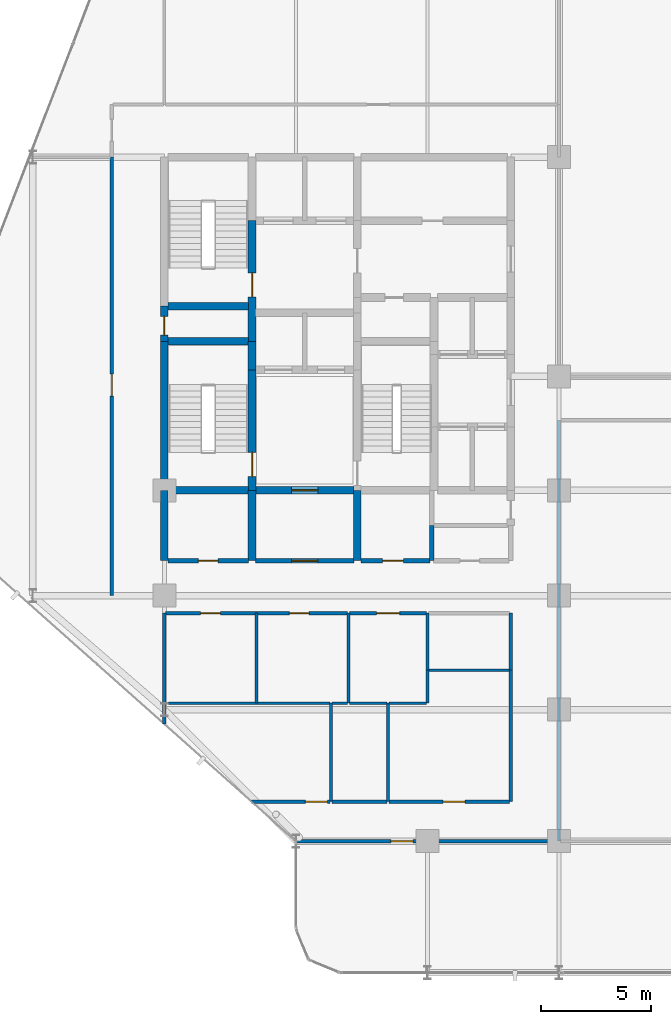
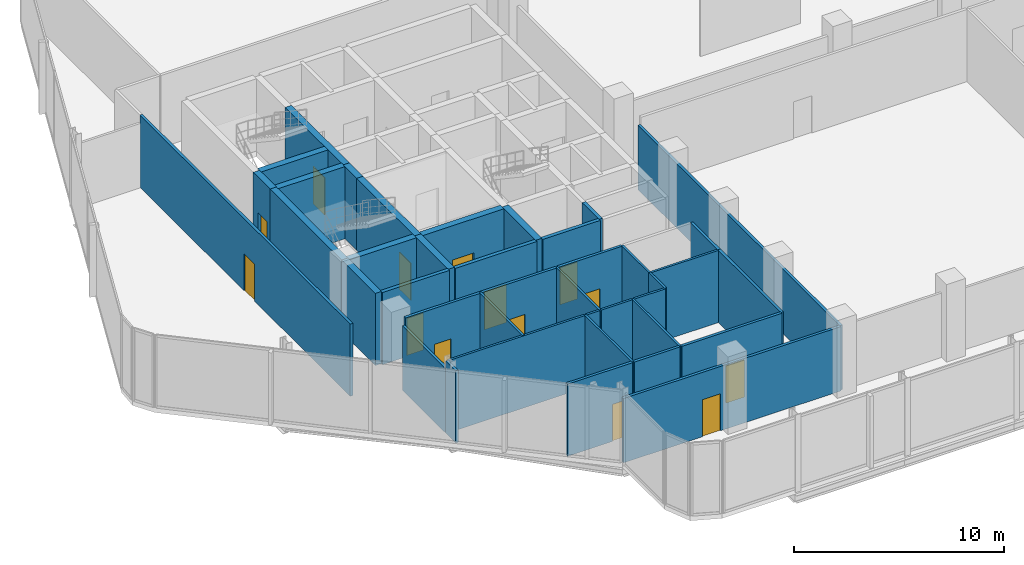
# One storey, part 27 of 31: 39 walls, 14 doors, 14 openings.
"""IFC4 building model written with IfcOpenShell, lengths in metres."""

from ifc_helpers import new_model, si_unit, direction, frame, frame_2d, origin, place, context, subcontext, project, spatial, rectangle, extrude, material, layer, layer_set, type_object, element, fill, save


model = new_model("IFC4")

# Units and contexts
model_context = context("Model", 3, precision=1e-05, world=origin(), true_north=direction((0.0, 1.0)))
body_context = subcontext(model_context, "Body", "Model", "MODEL_VIEW")
ifc_project = project(units=[si_unit("LENGTHUNIT", "METRE"), si_unit("AREAUNIT", "SQUARE_METRE"), si_unit("VOLUMEUNIT", "CUBIC_METRE"), si_unit("PLANEANGLEUNIT", "RADIAN"), si_unit("MASSUNIT", "GRAM", prefix="KILO")], contexts=[model_context])

# Site, building, storey
site_placement = place(None, origin())
site = spatial("IfcSite", under=ifc_project, at=site_placement, CompositionType="ELEMENT")
building_placement = place(site_placement, origin())
building = spatial("IfcBuilding", under=site, at=building_placement, Name="Keshet Zoharim Tower", CompositionType="ELEMENT")
storey_placement = place(building_placement, frame((0.0, 0.0, 125.300048828125)))
storey = spatial("IfcBuildingStorey", under=building, at=storey_placement, Name="L30", CompositionType="ELEMENT", Elevation=125.300048828125)

# Wall, opening, door
ifc_material_1 = material(Name="Gypsum Plasterboard", Category="gypsum")
ifc_layer_1 = layer(ifc_material_1, 0.14990234375)
ifc_layer_set_1 = layer_set([ifc_layer_1], Name="Gypsum Plasterboard")
wall_type_1 = type_object("IfcWallType", Name="WL-CLIN-150", PredefinedType="STANDARD", material=ifc_layer_set_1)
wall_1_placement = place(storey_placement, frame((12.60009765625, 17.89990234375, 0.0), z_axis=(0.0, 0.0, 1.0), x_axis=(0.0, 1.0, 0.0)))
wall_1 = element("IfcWall", 1, at=wall_1_placement, inside=storey, type_object=wall_type_1, Name="L30 Interior Wall 001", PredefinedType="STANDARD", context=body_context, shape_type="SweptSolid", body=[
    extrude(rectangle(XDim=20.0, YDim=0.14990234375, at=frame_2d((10.0, 0.0))), origin(), (0.0, 0.0, 1.0), 4.18505859375),
])
opening_1_placement = place(wall_1_placement, frame((9.10009765625, 0.0, 0.0)))
opening_1 = element("IfcOpeningElement", 2, at=opening_1_placement, cuts=wall_1, Name="Opening D-F310", PredefinedType="OPENING", context=body_context, shape_type="SweptSolid", body=[
    extrude(rectangle(XDim=1.0, YDim=2.14990234375, at=frame_2d((0.5, 1.074951171875))), frame((0.0, 0.0849609375, 0.0), z_axis=(0.0, -1.0, 0.0), x_axis=(1.0, 0.0, 0.0)), (0.0, 0.0, 1.0), 0.169921875),
])
ifc_material_2 = material(Name="Hardwood Timber", Category="wood")
door_type_1 = type_object("IfcDoorType", Name="DR-FD30-100", OperationType="NOTDEFINED", PredefinedType="DOOR", material=ifc_material_2)
door_1_placement = place(opening_1_placement, origin())
door_1 = element("IfcDoor", 3, at=door_1_placement, inside=storey, type_object=door_type_1, Name="L30 Children Playroom Door", OperationType="SINGLE_SWING_RIGHT", OverallHeight=2.14990234375, OverallWidth=1.0, PredefinedType="DOOR", context=body_context, shape_type="SweptSolid", body=[
    extrude(rectangle(XDim=1.0, YDim=2.14990234375, at=frame_2d((0.5, 1.074951171875))), frame((0.0, 0.02490234375, 0.0), z_axis=(0.0, -1.0, 0.0), x_axis=(1.0, 0.0, 0.0)), (0.0, 0.0, 1.0), 0.050048828125),
])
fill(opening_1, door_1)

# Walls
wall_2_placement = place(storey_placement, frame((15.0, 12.04296875, 0.0), z_axis=(0.0, 0.0, 1.0), x_axis=(0.0, 1.0, 0.0)))
element("IfcWall", 4, at=wall_2_placement, inside=storey, type_object=wall_type_1, Name="L30 Interior Wall 003", PredefinedType="STANDARD", context=body_context, shape_type="SweptSolid", body=[
    extrude(rectangle(XDim=0.95703125, YDim=0.14990234375, at=frame_2d((0.478515625, 0.0))), origin(), (0.0, 0.0, 1.0), 4.18505859375),
])
wall_3_placement = place(storey_placement, frame((15.0, 13.0, 0.0), z_axis=(0.0, 0.0, 1.0), x_axis=(0.0, 1.0, 0.0)))
element("IfcWall", 5, at=wall_3_placement, inside=storey, type_object=wall_type_1, Name="L30 Interior Wall 004", PredefinedType="STANDARD", context=body_context, shape_type="SweptSolid", body=[
    extrude(rectangle(XDim=4.10009765625, YDim=0.14990234375, at=frame_2d((2.050048828125, 0.0))), origin(), (0.0, 0.0, 1.0), 3.73486328125),
])
wall_4_placement = place(storey_placement, frame((30.800048828125, 8.5, 0.0), z_axis=(0.0, 0.0, 1.0), x_axis=(0.0, 1.0, 0.0)))
element("IfcWall", 6, at=wall_4_placement, inside=storey, type_object=wall_type_1, Name="L30 Interior Wall 038", PredefinedType="STANDARD", context=body_context, shape_type="SweptSolid", body=[
    extrude(rectangle(XDim=6.0, YDim=0.14990234375, at=frame_2d((3.0, 0.0))), origin(), (0.0, 0.0, 1.0), 4.18505859375),
])
wall_5_placement = place(storey_placement, frame((30.800048828125, 14.5, 0.0), z_axis=(0.0, 0.0, 1.0), x_axis=(0.0, 1.0, 0.0)))
element("IfcWall", 7, at=wall_5_placement, inside=storey, type_object=wall_type_1, Name="L30 Interior Wall 039", PredefinedType="STANDARD", context=body_context, shape_type="SweptSolid", body=[
    extrude(rectangle(XDim=2.60009765625, YDim=0.14990234375, at=frame_2d((1.300048828125, 0.0))), origin(), (0.0, 0.0, 1.0), 4.18505859375),
])
wall_6_placement = place(storey_placement, frame((33.0, 6.699951171875, 0.0), z_axis=(0.0, 0.0, 1.0), x_axis=(0.0, 1.0, 0.0)))
element("IfcWall", 8, at=wall_6_placement, inside=storey, type_object=wall_type_1, Name="L30 Interior Wall 047", PredefinedType="STANDARD", context=body_context, shape_type="SweptSolid", body=[
    extrude(rectangle(XDim=19.199951171875, YDim=0.14990234375, at=frame_2d((9.60009765625, 0.0))), origin(), (0.0, 0.0, 1.0), 3.73486328125),
])

# Wall, opening, door
wall_7_placement = place(storey_placement, frame((21.010009765625, 6.699951171875, 0.0), z_axis=(0.0, 0.0, 1.0), x_axis=(1.0, 0.0, 0.0)))
wall_7 = element("IfcWall", 9, at=wall_7_placement, inside=storey, type_object=wall_type_1, Name="L30 Interior Wall 051", PredefinedType="STANDARD", context=body_context, shape_type="SweptSolid", body=[
    extrude(rectangle(XDim=11.929931640625, YDim=0.14990234375, at=frame_2d((5.96484375, 0.0))), origin(), (0.0, 0.0, 1.0), 3.73486328125),
])
opening_2_placement = place(wall_7_placement, frame((4.324951171875, 0.0, 0.0)))
opening_2 = element("IfcOpeningElement", 10, at=opening_2_placement, cuts=wall_7, Name="Opening D-F310", PredefinedType="OPENING", context=body_context, shape_type="SweptSolid", body=[
    extrude(rectangle(XDim=1.0, YDim=2.14990234375, at=frame_2d((0.5, 1.074951171875))), frame((0.0, 0.0849609375, 0.0), z_axis=(0.0, -1.0, 0.0), x_axis=(1.0, 0.0, 0.0)), (0.0, 0.0, 1.0), 0.169921875),
])
door_2_placement = place(opening_2_placement, origin())
door_2 = element("IfcDoor", 11, at=door_2_placement, inside=storey, type_object=door_type_1, Name="L30 South Sun Conservatory Door", OperationType="SINGLE_SWING_RIGHT", OverallHeight=2.14990234375, OverallWidth=1.0, PredefinedType="DOOR", context=body_context, shape_type="SweptSolid", body=[
    extrude(rectangle(XDim=1.0, YDim=2.14990234375, at=frame_2d((0.5, 1.074951171875))), frame((0.0, 0.02490234375, 0.0), z_axis=(0.0, -1.0, 0.0), x_axis=(1.0, 0.0, 0.0)), (0.0, 0.0, 1.0), 0.050048828125),
])
fill(opening_2, door_2)

wall_8_placement = place(storey_placement, frame((18.985107421875, 8.5, 0.0), z_axis=(0.0, 0.0, 1.0), x_axis=(1.0, 0.0, 0.0)))
wall_8 = element("IfcWall", 12, at=wall_8_placement, inside=storey, type_object=wall_type_1, Name="L30 Interior Wall 054", PredefinedType="STANDARD", context=body_context, shape_type="SweptSolid", body=[
    extrude(rectangle(XDim=3.56982421875, YDim=0.14990234375, at=frame_2d((1.784912109375, 0.0))), origin(), (0.0, 0.0, 1.0), 4.18505859375),
])
opening_3_placement = place(wall_8_placement, frame((2.449951171875, 0.0, 0.0)))
opening_3 = element("IfcOpeningElement", 13, at=opening_3_placement, cuts=wall_8, Name="Opening D-F310", PredefinedType="OPENING", context=body_context, shape_type="SweptSolid", body=[
    extrude(rectangle(XDim=1.0, YDim=2.14990234375, at=frame_2d((0.5, 1.074951171875))), frame((0.0, 0.0849609375, 0.0), z_axis=(0.0, -1.0, 0.0), x_axis=(1.0, 0.0, 0.0)), (0.0, 0.0, 1.0), 0.169921875),
])
door_3_placement = place(opening_3_placement, origin())
door_3 = element("IfcDoor", 14, at=door_3_placement, inside=storey, type_object=door_type_1, Name="L30 Residents Laundry Room Door", OperationType="SINGLE_SWING_LEFT", OverallHeight=2.14990234375, OverallWidth=1.0, PredefinedType="DOOR", context=body_context, shape_type="SweptSolid", body=[
    extrude(rectangle(XDim=1.0, YDim=2.14990234375, at=frame_2d((0.5, 1.074951171875))), frame((0.0, 0.02490234375, 0.0), z_axis=(0.0, -1.0, 0.0), x_axis=(1.0, 0.0, 0.0)), (0.0, 0.0, 1.0), 0.050048828125),
])
fill(opening_3, door_3)

# Wall
wall_9_placement = place(storey_placement, frame((22.64501953125, 8.5, 0.0), z_axis=(0.0, 0.0, 1.0), x_axis=(1.0, 0.0, 0.0)))
element("IfcWall", 15, at=wall_9_placement, inside=storey, type_object=wall_type_1, Name="L30 Interior Wall 055", PredefinedType="STANDARD", context=body_context, shape_type="SweptSolid", body=[
    extrude(rectangle(XDim=2.510009765625, YDim=0.14990234375, at=frame_2d((1.2548828125, 0.0))), origin(), (0.0, 0.0, 1.0), 4.18505859375),
])

# Wall, opening, door
wall_10_placement = place(storey_placement, frame((25.2451171875, 8.5, 0.0), z_axis=(0.0, 0.0, 1.0), x_axis=(1.0, 0.0, 0.0)))
wall_10 = element("IfcWall", 16, at=wall_10_placement, inside=storey, type_object=wall_type_1, Name="L30 Interior Wall 056", PredefinedType="STANDARD", context=body_context, shape_type="SweptSolid", body=[
    extrude(rectangle(XDim=5.494873046875, YDim=0.14990234375, at=frame_2d((2.74755859375, 0.0))), origin(), (0.0, 0.0, 1.0), 4.18505859375),
])
opening_4_placement = place(wall_10_placement, frame((2.468994140625, 0.0, 0.0)))
opening_4 = element("IfcOpeningElement", 17, at=opening_4_placement, cuts=wall_10, Name="Opening D-F310", PredefinedType="OPENING", context=body_context, shape_type="SweptSolid", body=[
    extrude(rectangle(XDim=1.0, YDim=2.14990234375, at=frame_2d((0.5, 1.074951171875))), frame((0.0, 0.0849609375, 0.0), z_axis=(0.0, -1.0, 0.0), x_axis=(1.0, 0.0, 0.0)), (0.0, 0.0, 1.0), 0.169921875),
])
door_4_placement = place(opening_4_placement, origin())
door_4 = element("IfcDoor", 18, at=door_4_placement, inside=storey, type_object=door_type_1, Name="L30 Shared Residents Kitchen Door", OperationType="SINGLE_SWING_RIGHT", OverallHeight=2.14990234375, OverallWidth=1.0, PredefinedType="DOOR", context=body_context, shape_type="SweptSolid", body=[
    extrude(rectangle(XDim=1.0, YDim=2.14990234375, at=frame_2d((0.5, 1.074951171875))), frame((0.0, 0.02490234375, 0.0), z_axis=(0.0, -1.0, 0.0), x_axis=(1.0, 0.0, 0.0)), (0.0, 0.0, 1.0), 0.050048828125),
])
fill(opening_4, door_4)

# Wall, openings, doors
wall_11_placement = place(storey_placement, frame((15.06005859375, 17.10009765625, 0.0), z_axis=(0.0, 0.0, 1.0), x_axis=(1.0, 0.0, 0.0)))
wall_11 = element("IfcWall", 19, at=wall_11_placement, inside=storey, type_object=wall_type_1, Name="L30 Interior Wall 062", PredefinedType="STANDARD", context=body_context, shape_type="SweptSolid", body=[
    extrude(rectangle(XDim=8.294921875, YDim=0.14990234375, at=frame_2d((4.1474609375, 0.0))), origin(), (0.0, 0.0, 1.0), 4.18505859375),
])
opening_5_placement = place(wall_11_placement, frame((1.594970703125, 0.0, 0.0)))
opening_5 = element("IfcOpeningElement", 20, at=opening_5_placement, cuts=wall_11, Name="Opening D-WT90", PredefinedType="OPENING", context=body_context, shape_type="SweptSolid", body=[
    extrude(rectangle(XDim=0.89990234375, YDim=2.10009765625, at=frame_2d((0.449951171875, 1.050048828125))), frame((0.0, 0.0849609375, 0.0), z_axis=(0.0, -1.0, 0.0), x_axis=(1.0, 0.0, 0.0)), (0.0, 0.0, 1.0), 0.169921875),
])
opening_6_placement = place(wall_11_placement, frame((5.64501953125, 0.0, 0.0)))
opening_6 = element("IfcOpeningElement", 21, at=opening_6_placement, cuts=wall_11, Name="Opening D-WT90", PredefinedType="OPENING", context=body_context, shape_type="SweptSolid", body=[
    extrude(rectangle(XDim=0.89990234375, YDim=2.10009765625, at=frame_2d((0.449951171875, 1.050048828125))), frame((0.0, 0.0849609375, 0.0), z_axis=(0.0, -1.0, 0.0), x_axis=(1.0, 0.0, 0.0)), (0.0, 0.0, 1.0), 0.169921875),
])
door_type_2 = type_object("IfcDoorType", Name="DR-WET-090", OperationType="NOTDEFINED", PredefinedType="DOOR", material=ifc_material_2)
door_5_placement = place(opening_5_placement, origin())
door_5 = element("IfcDoor", 22, at=door_5_placement, inside=storey, type_object=door_type_2, Name="L30 Public WCM Door", OperationType="SINGLE_SWING_LEFT", OverallHeight=2.10009765625, OverallWidth=0.89990234375, PredefinedType="DOOR", context=body_context, shape_type="SweptSolid", body=[
    extrude(rectangle(XDim=0.89990234375, YDim=2.10009765625, at=frame_2d((0.449951171875, 1.050048828125))), frame((0.0, 0.02490234375, 0.0), z_axis=(0.0, -1.0, 0.0), x_axis=(1.0, 0.0, 0.0)), (0.0, 0.0, 1.0), 0.050048828125),
])
fill(opening_5, door_5)
door_6_placement = place(opening_6_placement, origin())
door_6 = element("IfcDoor", 23, at=door_6_placement, inside=storey, type_object=door_type_2, Name="L30 Public WCF Door", OperationType="SINGLE_SWING_RIGHT", OverallHeight=2.10009765625, OverallWidth=0.89990234375, PredefinedType="DOOR", context=body_context, shape_type="SweptSolid", body=[
    extrude(rectangle(XDim=0.89990234375, YDim=2.10009765625, at=frame_2d((0.449951171875, 1.050048828125))), frame((0.0, 0.02490234375, 0.0), z_axis=(0.0, -1.0, 0.0), x_axis=(1.0, 0.0, 0.0)), (0.0, 0.0, 1.0), 0.050048828125),
])
fill(opening_6, door_6)

# Wall, opening, door
wall_12_placement = place(storey_placement, frame((23.445068359375, 17.10009765625, 0.0), z_axis=(0.0, 0.0, 1.0), x_axis=(1.0, 0.0, 0.0)))
wall_12 = element("IfcWall", 24, at=wall_12_placement, inside=storey, type_object=wall_type_1, Name="L30 Interior Wall 063", PredefinedType="STANDARD", context=body_context, shape_type="SweptSolid", body=[
    extrude(rectangle(XDim=3.510009765625, YDim=0.14990234375, at=frame_2d((1.7548828125, 0.0))), origin(), (0.0, 0.0, 1.0), 4.18505859375),
])
opening_7_placement = place(wall_12_placement, frame((1.22998046875, 0.0, 0.0)))
opening_7 = element("IfcOpeningElement", 25, at=opening_7_placement, cuts=wall_12, Name="Opening D-AC10", PredefinedType="OPENING", context=body_context, shape_type="SweptSolid", body=[
    extrude(rectangle(XDim=1.050048828125, YDim=2.14990234375, at=frame_2d((0.52490234375, 1.074951171875))), frame((0.0, 0.0849609375, 0.0), z_axis=(0.0, -1.0, 0.0), x_axis=(1.0, 0.0, 0.0)), (0.0, 0.0, 1.0), 0.169921875),
])
door_type_3 = type_object("IfcDoorType", Name="DR-ACC-105", OperationType="NOTDEFINED", PredefinedType="DOOR", material=ifc_material_2)
door_7_placement = place(opening_7_placement, origin())
door_7 = element("IfcDoor", 26, at=door_7_placement, inside=storey, type_object=door_type_3, Name="L30 Public WCA Door", OperationType="SINGLE_SWING_LEFT", OverallHeight=2.14990234375, OverallWidth=1.050048828125, PredefinedType="DOOR", context=body_context, shape_type="SweptSolid", body=[
    extrude(rectangle(XDim=1.050048828125, YDim=2.14990234375, at=frame_2d((0.52490234375, 1.074951171875))), frame((0.0, 0.02490234375, 0.0), z_axis=(0.0, -1.0, 0.0), x_axis=(1.0, 0.0, 0.0)), (0.0, 0.0, 1.0), 0.050048828125),
])
fill(opening_7, door_7)

# Walls
ifc_material_3 = material(Name="Concrete C60/75", Category="concrete")
ifc_layer_2 = layer(ifc_material_3, 0.35009765625)
ifc_layer_set_2 = layer_set([ifc_layer_2], Name="Concrete C60/75")
wall_type_2 = type_object("IfcWallType", Name="WL-CORE-350", PredefinedType="SHEAR", material=ifc_layer_set_2)
wall_13_placement = place(storey_placement, frame((15.0, 19.5, 0.0), z_axis=(0.0, 0.0, 1.0), x_axis=(0.0, 1.0, 0.0)))
element("IfcWall", 27, at=wall_13_placement, inside=storey, type_object=wall_type_2, Name="L30 Core Shear Wall 005", PredefinedType="SHEAR", context=body_context, shape_type="SweptSolid", body=[
    extrude(rectangle(XDim=3.199951171875, YDim=0.35009765625, at=frame_2d((1.60009765625, 0.0))), origin(), (0.0, 0.0, 1.0), 4.18505859375),
])
wall_14_placement = place(storey_placement, frame((15.0, 22.699951171875, 0.0), z_axis=(0.0, 0.0, 1.0), x_axis=(0.0, 1.0, 0.0)))
element("IfcWall", 28, at=wall_14_placement, inside=storey, type_object=wall_type_2, Name="L30 Core Shear Wall 006", PredefinedType="SHEAR", context=body_context, shape_type="SweptSolid", body=[
    extrude(rectangle(XDim=6.800048828125, YDim=0.35009765625, at=frame_2d((3.39990234375, 0.0))), origin(), (0.0, 0.0, 1.0), 4.18505859375),
])

# Wall, opening, door
wall_15_placement = place(storey_placement, frame((15.0, 29.5, 0.0), z_axis=(0.0, 0.0, 1.0), x_axis=(0.0, 1.0, 0.0)))
wall_15 = element("IfcWall", 29, at=wall_15_placement, inside=storey, type_object=wall_type_2, Name="L30 Core Shear Wall 007", PredefinedType="SHEAR", context=body_context, shape_type="SweptSolid", body=[
    extrude(rectangle(XDim=1.60009765625, YDim=0.35009765625, at=frame_2d((0.800048828125, 0.0))), origin(), (0.0, 0.0, 1.0), 4.18505859375),
])
opening_8_placement = place(wall_15_placement, frame((0.287109375, 0.0, 0.0)))
opening_8 = element("IfcOpeningElement", 30, at=opening_8_placement, cuts=wall_15, Name="Opening D-RS85", PredefinedType="OPENING", context=body_context, shape_type="SweptSolid", body=[
    extrude(rectangle(XDim=0.85009765625, YDim=2.10009765625, at=frame_2d((0.425048828125, 1.050048828125))), frame((0.0, 0.18505859375, 0.0), z_axis=(0.0, -1.0, 0.0), x_axis=(1.0, 0.0, 0.0)), (0.0, 0.0, 1.0), 0.3701171875),
])
door_type_4 = type_object("IfcDoorType", Name="DR-RIS-085", OperationType="NOTDEFINED", PredefinedType="DOOR", material=ifc_material_2)
door_8_placement = place(opening_8_placement, origin())
door_8 = element("IfcDoor", 31, at=door_8_placement, inside=storey, type_object=door_type_4, Name="L30 Electrical Riser Access Cupboard Door", OperationType="SINGLE_SWING_RIGHT", OverallHeight=2.10009765625, OverallWidth=0.85009765625, PredefinedType="DOOR", context=body_context, shape_type="SweptSolid", body=[
    extrude(rectangle(XDim=0.85009765625, YDim=2.10009765625, at=frame_2d((0.425048828125, 1.050048828125))), frame((0.0, 0.02490234375, 0.0), z_axis=(0.0, -1.0, 0.0), x_axis=(1.0, 0.0, 0.0)), (0.0, 0.0, 1.0), 0.050048828125),
])
fill(opening_8, door_8)

# Wall
wall_16_placement = place(storey_placement, frame((19.0, 19.5, 0.0), z_axis=(0.0, 0.0, 1.0), x_axis=(0.0, 1.0, 0.0)))
element("IfcWall", 32, at=wall_16_placement, inside=storey, type_object=wall_type_2, Name="L30 Core Shear Wall 010", PredefinedType="SHEAR", context=body_context, shape_type="SweptSolid", body=[
    extrude(rectangle(XDim=3.199951171875, YDim=0.35009765625, at=frame_2d((1.60009765625, 0.0))), origin(), (0.0, 0.0, 1.0), 4.18505859375),
])

# Wall, opening, door
wall_17_placement = place(storey_placement, frame((19.0, 22.699951171875, 0.0), z_axis=(0.0, 0.0, 1.0), x_axis=(0.0, 1.0, 0.0)))
wall_17 = element("IfcWall", 33, at=wall_17_placement, inside=storey, type_object=wall_type_2, Name="L30 Core Shear Wall 011", PredefinedType="SHEAR", context=body_context, shape_type="SweptSolid", body=[
    extrude(rectangle(XDim=5.5, YDim=0.35009765625, at=frame_2d((2.75, 0.0))), origin(), (0.0, 0.0, 1.0), 4.18505859375),
])
opening_9_placement = place(wall_17_placement, frame((0.631103515625, 0.0, 0.0)))
opening_9 = element("IfcOpeningElement", 34, at=opening_9_placement, cuts=wall_17, Name="Opening D-F611", PredefinedType="OPENING", context=body_context, shape_type="SweptSolid", body=[
    extrude(rectangle(XDim=1.10009765625, YDim=2.14990234375, at=frame_2d((0.550048828125, 1.074951171875))), frame((0.0, 0.18505859375, 0.0), z_axis=(0.0, -1.0, 0.0), x_axis=(1.0, 0.0, 0.0)), (0.0, 0.0, 1.0), 0.3701171875),
])
door_type_5 = type_object("IfcDoorType", Name="DR-FD60-110", OperationType="NOTDEFINED", PredefinedType="DOOR", material=ifc_material_2)
door_9_placement = place(opening_9_placement, origin())
door_9 = element("IfcDoor", 35, at=door_9_placement, inside=storey, type_object=door_type_5, Name="L30 Exit Stair ST-01 Fire Door", OperationType="SINGLE_SWING_LEFT", OverallHeight=2.14990234375, OverallWidth=1.10009765625, PredefinedType="DOOR", context=body_context, shape_type="SweptSolid", body=[
    extrude(rectangle(XDim=1.10009765625, YDim=2.14990234375, at=frame_2d((0.550048828125, 1.074951171875))), frame((0.0, 0.02490234375, 0.0), z_axis=(0.0, -1.0, 0.0), x_axis=(1.0, 0.0, 0.0)), (0.0, 0.0, 1.0), 0.050048828125),
])
fill(opening_9, door_9)

# Wall
wall_18_placement = place(storey_placement, frame((19.0, 28.199951171875, 0.0), z_axis=(0.0, 0.0, 1.0), x_axis=(0.0, 1.0, 0.0)))
element("IfcWall", 36, at=wall_18_placement, inside=storey, type_object=wall_type_2, Name="L30 Core Shear Wall 012", PredefinedType="SHEAR", context=body_context, shape_type="SweptSolid", body=[
    extrude(rectangle(XDim=1.300048828125, YDim=0.35009765625, at=frame_2d((0.64990234375, 0.0))), origin(), (0.0, 0.0, 1.0), 4.18505859375),
])

# Wall, opening, door
wall_19_placement = place(storey_placement, frame((19.0, 29.5, 0.0), z_axis=(0.0, 0.0, 1.0), x_axis=(0.0, 1.0, 0.0)))
wall_19 = element("IfcWall", 37, at=wall_19_placement, inside=storey, type_object=wall_type_2, Name="L30 Core Shear Wall 013", PredefinedType="SHEAR", context=body_context, shape_type="SweptSolid", body=[
    extrude(rectangle(XDim=5.5, YDim=0.35009765625, at=frame_2d((2.75, 0.0))), origin(), (0.0, 0.0, 1.0), 4.18505859375),
])
opening_10_placement = place(wall_19_placement, frame((2.02490234375, 0.0, 0.0)))
opening_10 = element("IfcOpeningElement", 38, at=opening_10_placement, cuts=wall_19, Name="Opening D-F611", PredefinedType="OPENING", context=body_context, shape_type="SweptSolid", body=[
    extrude(rectangle(XDim=1.10009765625, YDim=2.14990234375, at=frame_2d((0.550048828125, 1.074951171875))), frame((0.0, 0.18505859375, 0.0), z_axis=(0.0, -1.0, 0.0), x_axis=(1.0, 0.0, 0.0)), (0.0, 0.0, 1.0), 0.3701171875),
])
door_10_placement = place(opening_10_placement, origin())
door_10 = element("IfcDoor", 39, at=door_10_placement, inside=storey, type_object=door_type_5, Name="L30 Exit Stair ST-02 Fire Door", OperationType="SINGLE_SWING_RIGHT", OverallHeight=2.14990234375, OverallWidth=1.10009765625, PredefinedType="DOOR", context=body_context, shape_type="SweptSolid", body=[
    extrude(rectangle(XDim=1.10009765625, YDim=2.14990234375, at=frame_2d((0.550048828125, 1.074951171875))), frame((0.0, 0.02490234375, 0.0), z_axis=(0.0, -1.0, 0.0), x_axis=(1.0, 0.0, 0.0)), (0.0, 0.0, 1.0), 0.050048828125),
])
fill(opening_10, door_10)

# Walls
wall_20_placement = place(storey_placement, frame((23.800048828125, 19.5, 0.0), z_axis=(0.0, 0.0, 1.0), x_axis=(0.0, 1.0, 0.0)))
element("IfcWall", 40, at=wall_20_placement, inside=storey, type_object=wall_type_2, Name="L30 Core Shear Wall 020", PredefinedType="SHEAR", context=body_context, shape_type="SweptSolid", body=[
    extrude(rectangle(XDim=3.199951171875, YDim=0.35009765625, at=frame_2d((1.60009765625, 0.0))), origin(), (0.0, 0.0, 1.0), 4.18505859375),
])
wall_21_placement = place(storey_placement, frame((15.159912109375, 22.699951171875, 0.0), z_axis=(0.0, 0.0, 1.0), x_axis=(1.0, 0.0, 0.0)))
element("IfcWall", 41, at=wall_21_placement, inside=storey, type_object=wall_type_2, Name="L30 Core Shear Wall 070", PredefinedType="SHEAR", context=body_context, shape_type="SweptSolid", body=[
    extrude(rectangle(XDim=3.68017578125, YDim=0.35009765625, at=frame_2d((1.840087890625, 0.0))), origin(), (0.0, 0.0, 1.0), 4.18505859375),
])

# Wall, opening, door
wall_22_placement = place(storey_placement, frame((19.159912109375, 22.699951171875, 0.0), z_axis=(0.0, 0.0, 1.0), x_axis=(1.0, 0.0, 0.0)))
wall_22 = element("IfcWall", 42, at=wall_22_placement, inside=storey, type_object=wall_type_2, Name="L30 Core Shear Wall 071", PredefinedType="SHEAR", context=body_context, shape_type="SweptSolid", body=[
    extrude(rectangle(XDim=4.47998046875, YDim=0.35009765625, at=frame_2d((2.239990234375, 0.0))), origin(), (0.0, 0.0, 1.0), 4.18505859375),
])
opening_11_placement = place(wall_22_placement, frame((1.639892578125, 0.0, 0.0)))
opening_11 = element("IfcOpeningElement", 43, at=opening_11_placement, cuts=wall_22, Name="Opening D-F612", PredefinedType="OPENING", context=body_context, shape_type="SweptSolid", body=[
    extrude(rectangle(XDim=1.199951171875, YDim=2.199951171875, at=frame_2d((0.60009765625, 1.10009765625))), frame((0.0, 0.18505859375, 0.0), z_axis=(0.0, -1.0, 0.0), x_axis=(1.0, 0.0, 0.0)), (0.0, 0.0, 1.0), 0.3701171875),
])
door_type_6 = type_object("IfcDoorType", Name="DR-FD60-120", OperationType="NOTDEFINED", PredefinedType="DOOR", material=ifc_material_2)
door_11_placement = place(opening_11_placement, origin())
door_11 = element("IfcDoor", 44, at=door_11_placement, inside=storey, type_object=door_type_6, Name="L30 South Core Lobby Fire Door", OperationType="SINGLE_SWING_RIGHT", OverallHeight=2.199951171875, OverallWidth=1.199951171875, PredefinedType="DOOR", context=body_context, shape_type="SweptSolid", body=[
    extrude(rectangle(XDim=1.199951171875, YDim=2.199951171875, at=frame_2d((0.60009765625, 1.10009765625))), frame((0.0, 0.02490234375, 0.0), z_axis=(0.0, -1.0, 0.0), x_axis=(1.0, 0.0, 0.0)), (0.0, 0.0, 1.0), 0.050048828125),
])
fill(opening_11, door_11)

# Walls
for number, where, z_axis, x_axis, name in (
    (45, (15.159912109375, 29.5, 0.0), (0.0, 0.0, 1.0), (1.0, 0.0, 0.0), "L30 Core Shear Wall 080"),
    (46, (15.159912109375, 31.10009765625, 0.0), (0.0, 0.0, 1.0), (1.0, 0.0, 0.0), "L30 Core Shear Wall 083"),
):
    element("IfcWall", number, at=place(storey_placement, frame(where, z_axis=z_axis, x_axis=x_axis)), inside=storey, type_object=wall_type_2, Name=name, PredefinedType="SHEAR", context=body_context, shape_type="SweptSolid", body=[
        extrude(rectangle(XDim=3.68017578125, YDim=0.35009765625, at=frame_2d((1.840087890625, 0.0))), origin(), (0.0, 0.0, 1.0), 4.18505859375),
    ])
ifc_material_4 = material(Name="Concrete C50/60", Category="concrete")
ifc_layer_3 = layer(ifc_material_4, 0.199951171875)
ifc_layer_set_3 = layer_set([ifc_layer_3], Name="Concrete C50/60")
wall_type_3 = type_object("IfcWallType", Name="WL-FIRE-200", PredefinedType="STANDARD", material=ifc_layer_set_3)
wall_23_placement = place(storey_placement, frame((27.199951171875, 19.5, 0.0), z_axis=(0.0, 0.0, 1.0), x_axis=(0.0, 1.0, 0.0)))
element("IfcWall", 47, at=wall_23_placement, inside=storey, type_object=wall_type_3, Name="L30 Interior Wall 030", PredefinedType="STANDARD", context=body_context, shape_type="SweptSolid", body=[
    extrude(rectangle(XDim=1.60009765625, YDim=0.199951171875, at=frame_2d((0.800048828125, 0.0))), origin(), (0.0, 0.0, 1.0), 4.18505859375),
])

# Wall, opening, door
wall_24_placement = place(storey_placement, frame((15.159912109375, 19.5, 0.0), z_axis=(0.0, 0.0, 1.0), x_axis=(1.0, 0.0, 0.0)))
wall_24 = element("IfcWall", 48, at=wall_24_placement, inside=storey, type_object=wall_type_3, Name="L30 Interior Wall 065", PredefinedType="STANDARD", context=body_context, shape_type="SweptSolid", body=[
    extrude(rectangle(XDim=3.68017578125, YDim=0.199951171875, at=frame_2d((1.840087890625, 0.0))), origin(), (0.0, 0.0, 1.0), 4.18505859375),
])
opening_12_placement = place(wall_24_placement, frame((1.389892578125, 0.0, 0.0)))
opening_12 = element("IfcOpeningElement", 49, at=opening_12_placement, cuts=wall_24, Name="Opening D-F690", PredefinedType="OPENING", context=body_context, shape_type="SweptSolid", body=[
    extrude(rectangle(XDim=0.89990234375, YDim=2.14990234375, at=frame_2d((0.449951171875, 1.074951171875))), frame((0.0, 0.10986328125, 0.0), z_axis=(0.0, -1.0, 0.0), x_axis=(1.0, 0.0, 0.0)), (0.0, 0.0, 1.0), 0.219970703125),
])
door_type_7 = type_object("IfcDoorType", Name="DR-FD60-090", OperationType="NOTDEFINED", PredefinedType="DOOR", material=ifc_material_2)
door_12_placement = place(opening_12_placement, origin())
door_12 = element("IfcDoor", 50, at=door_12_placement, inside=storey, type_object=door_type_7, Name="L30 Refuse Store Door", OperationType="SINGLE_SWING_RIGHT", OverallHeight=2.14990234375, OverallWidth=0.89990234375, PredefinedType="DOOR", context=body_context, shape_type="SweptSolid", body=[
    extrude(rectangle(XDim=0.89990234375, YDim=2.14990234375, at=frame_2d((0.449951171875, 1.074951171875))), frame((0.0, 0.02490234375, 0.0), z_axis=(0.0, -1.0, 0.0), x_axis=(1.0, 0.0, 0.0)), (0.0, 0.0, 1.0), 0.050048828125),
])
fill(opening_12, door_12)

wall_25_placement = place(storey_placement, frame((19.159912109375, 19.5, 0.0), z_axis=(0.0, 0.0, 1.0), x_axis=(1.0, 0.0, 0.0)))
wall_25 = element("IfcWall", 51, at=wall_25_placement, inside=storey, type_object=wall_type_3, Name="L30 Interior Wall 066", PredefinedType="STANDARD", context=body_context, shape_type="SweptSolid", body=[
    extrude(rectangle(XDim=4.47998046875, YDim=0.199951171875, at=frame_2d((2.239990234375, 0.0))), origin(), (0.0, 0.0, 1.0), 4.18505859375),
])
opening_13_placement = place(wall_25_placement, frame((1.639892578125, 0.0, 0.0)))
opening_13 = element("IfcOpeningElement", 52, at=opening_13_placement, cuts=wall_25, Name="Opening D-F612", PredefinedType="OPENING", context=body_context, shape_type="SweptSolid", body=[
    extrude(rectangle(XDim=1.199951171875, YDim=2.199951171875, at=frame_2d((0.60009765625, 1.10009765625))), frame((0.0, 0.10986328125, 0.0), z_axis=(0.0, -1.0, 0.0), x_axis=(1.0, 0.0, 0.0)), (0.0, 0.0, 1.0), 0.219970703125),
])
door_13_placement = place(opening_13_placement, origin())
door_13 = element("IfcDoor", 53, at=door_13_placement, inside=storey, type_object=door_type_6, Name="L30 South Vestibule Corridor Door", OperationType="SINGLE_SWING_LEFT", OverallHeight=2.199951171875, OverallWidth=1.199951171875, PredefinedType="DOOR", context=body_context, shape_type="SweptSolid", body=[
    extrude(rectangle(XDim=1.199951171875, YDim=2.199951171875, at=frame_2d((0.60009765625, 1.10009765625))), frame((0.0, 0.02490234375, 0.0), z_axis=(0.0, -1.0, 0.0), x_axis=(1.0, 0.0, 0.0)), (0.0, 0.0, 1.0), 0.050048828125),
])
fill(opening_13, door_13)

wall_26_placement = place(storey_placement, frame((23.9599609375, 19.5, 0.0), z_axis=(0.0, 0.0, 1.0), x_axis=(1.0, 0.0, 0.0)))
wall_26 = element("IfcWall", 54, at=wall_26_placement, inside=storey, type_object=wall_type_3, Name="L30 Interior Wall 067", PredefinedType="STANDARD", context=body_context, shape_type="SweptSolid", body=[
    extrude(rectangle(XDim=3.155029296875, YDim=0.199951171875, at=frame_2d((1.57763671875, 0.0))), origin(), (0.0, 0.0, 1.0), 4.18505859375),
])
opening_14_placement = place(wall_26_placement, frame((0.990966796875, 0.0, 0.0)))
opening_14 = element("IfcOpeningElement", 55, at=opening_14_placement, cuts=wall_26, Name="Opening D-F695", PredefinedType="OPENING", context=body_context, shape_type="SweptSolid", body=[
    extrude(rectangle(XDim=0.949951171875, YDim=2.14990234375, at=frame_2d((0.47509765625, 1.074951171875))), frame((0.0, 0.10986328125, 0.0), z_axis=(0.0, -1.0, 0.0), x_axis=(1.0, 0.0, 0.0)), (0.0, 0.0, 1.0), 0.219970703125),
])
door_type_8 = type_object("IfcDoorType", Name="DR-FD60-095", OperationType="NOTDEFINED", PredefinedType="DOOR", material=ifc_material_2)
door_14_placement = place(opening_14_placement, origin())
door_14 = element("IfcDoor", 56, at=door_14_placement, inside=storey, type_object=door_type_8, Name="L30 Utility Room Door", OperationType="SINGLE_SWING_RIGHT", OverallHeight=2.14990234375, OverallWidth=0.949951171875, PredefinedType="DOOR", context=body_context, shape_type="SweptSolid", body=[
    extrude(rectangle(XDim=0.949951171875, YDim=2.14990234375, at=frame_2d((0.47509765625, 1.074951171875))), frame((0.0, 0.02490234375, 0.0), z_axis=(0.0, -1.0, 0.0), x_axis=(1.0, 0.0, 0.0)), (0.0, 0.0, 1.0), 0.050048828125),
])
fill(opening_14, door_14)

# Walls
ifc_layer_4 = layer(ifc_material_1, 0.1201171875)
ifc_layer_set_4 = layer_set([ifc_layer_4], Name="Gypsum Plasterboard")
wall_type_4 = type_object("IfcWallType", Name="WL-PART-120", PredefinedType="PARTITIONING", material=ifc_layer_set_4)
for number, where, z_axis, x_axis, name in (
    (57, (22.60009765625, 8.5, 0.0), (0.0, 0.0, 1.0), (0.0, 1.0, 0.0), "L30 Interior Wall 018"),
    (58, (25.199951171875, 8.5, 0.0), (0.0, 0.0, 1.0), (0.0, 1.0, 0.0), "L30 Interior Wall 027"),
):
    element("IfcWall", number, at=place(storey_placement, frame(where, z_axis=z_axis, x_axis=x_axis)), inside=storey, type_object=wall_type_4, Name=name, PredefinedType="PARTITIONING", context=body_context, shape_type="SweptSolid", body=[
        extrude(rectangle(XDim=4.5, YDim=0.1201171875, at=frame_2d((2.25, 0.0))), origin(), (0.0, 0.0, 1.0), 4.18505859375),
    ])
wall_27_placement = place(storey_placement, frame((27.044921875, 14.5, 0.0), z_axis=(0.0, 0.0, 1.0), x_axis=(1.0, 0.0, 0.0)))
element("IfcWall", 59, at=wall_27_placement, inside=storey, type_object=wall_type_4, Name="L30 Interior Wall 061", PredefinedType="PARTITIONING", context=body_context, shape_type="SweptSolid", body=[
    extrude(rectangle(XDim=3.695068359375, YDim=0.1201171875, at=frame_2d((1.84765625, 0.0))), origin(), (0.0, 0.0, 1.0), 4.18505859375),
])
ifc_layer_5 = layer(ifc_material_1, 0.1201171875)
ifc_layer_set_5 = layer_set([ifc_layer_5], Name="Gypsum Plasterboard")
wall_type_5 = type_object("IfcWallType", Name="WL-WET-120", PredefinedType="PARTITIONING", material=ifc_layer_set_5)
for number, where, z_axis, x_axis, name in (
    (60, (19.199951171875, 13.0, 0.0), (0.0, 0.0, 1.0), (0.0, 1.0, 0.0), "L30 Interior Wall 015"),
    (61, (23.39990234375, 13.0, 0.0), (0.0, 0.0, 1.0), (0.0, 1.0, 0.0), "L30 Interior Wall 019"),
):
    element("IfcWall", number, at=place(storey_placement, frame(where, z_axis=z_axis, x_axis=x_axis)), inside=storey, type_object=wall_type_5, Name=name, PredefinedType="PARTITIONING", context=body_context, shape_type="SweptSolid", body=[
        extrude(rectangle(XDim=4.10009765625, YDim=0.1201171875, at=frame_2d((2.050048828125, 0.0))), origin(), (0.0, 0.0, 1.0), 4.18505859375),
    ])
wall_28_placement = place(storey_placement, frame((27.0, 13.0, 0.0), z_axis=(0.0, 0.0, 1.0), x_axis=(0.0, 1.0, 0.0)))
element("IfcWall", 62, at=wall_28_placement, inside=storey, type_object=wall_type_5, Name="L30 Interior Wall 028", PredefinedType="PARTITIONING", context=body_context, shape_type="SweptSolid", body=[
    extrude(rectangle(XDim=1.5, YDim=0.1201171875, at=frame_2d((0.75, 0.0))), origin(), (0.0, 0.0, 1.0), 4.18505859375),
])
wall_29_placement = place(storey_placement, frame((27.0, 14.5, 0.0), z_axis=(0.0, 0.0, 1.0), x_axis=(0.0, 1.0, 0.0)))
element("IfcWall", 63, at=wall_29_placement, inside=storey, type_object=wall_type_5, Name="L30 Interior Wall 029", PredefinedType="PARTITIONING", context=body_context, shape_type="SweptSolid", body=[
    extrude(rectangle(XDim=2.60009765625, YDim=0.1201171875, at=frame_2d((1.300048828125, 0.0))), origin(), (0.0, 0.0, 1.0), 4.18505859375),
])
wall_30_placement = place(storey_placement, frame((15.06005859375, 13.0, 0.0), z_axis=(0.0, 0.0, 1.0), x_axis=(1.0, 0.0, 0.0)))
element("IfcWall", 64, at=wall_30_placement, inside=storey, type_object=wall_type_5, Name="L30 Interior Wall 057", PredefinedType="PARTITIONING", context=body_context, shape_type="SweptSolid", body=[
    extrude(rectangle(XDim=7.494873046875, YDim=0.1201171875, at=frame_2d((3.74755859375, 0.0))), origin(), (0.0, 0.0, 1.0), 4.18505859375),
])
wall_31_placement = place(storey_placement, frame((22.64501953125, 13.0, 0.0), z_axis=(0.0, 0.0, 1.0), x_axis=(1.0, 0.0, 0.0)))
element("IfcWall", 65, at=wall_31_placement, inside=storey, type_object=wall_type_5, Name="L30 Interior Wall 058", PredefinedType="PARTITIONING", context=body_context, shape_type="SweptSolid", body=[
    extrude(rectangle(XDim=0.7099609375, YDim=0.1201171875, at=frame_2d((0.35498046875, 0.0))), origin(), (0.0, 0.0, 1.0), 4.18505859375),
])
for number, where, z_axis, x_axis, name in (
    (66, (23.445068359375, 13.0, 0.0), (0.0, 0.0, 1.0), (1.0, 0.0, 0.0), "L30 Interior Wall 059"),
    (67, (25.2451171875, 13.0, 0.0), (0.0, 0.0, 1.0), (1.0, 0.0, 0.0), "L30 Interior Wall 060"),
):
    element("IfcWall", number, at=place(storey_placement, frame(where, z_axis=z_axis, x_axis=x_axis)), inside=storey, type_object=wall_type_5, Name=name, PredefinedType="PARTITIONING", context=body_context, shape_type="SweptSolid", body=[
        extrude(rectangle(XDim=1.7099609375, YDim=0.1201171875, at=frame_2d((0.85498046875, 0.0))), origin(), (0.0, 0.0, 1.0), 4.18505859375),
    ])

save(model, "model.ifc")
